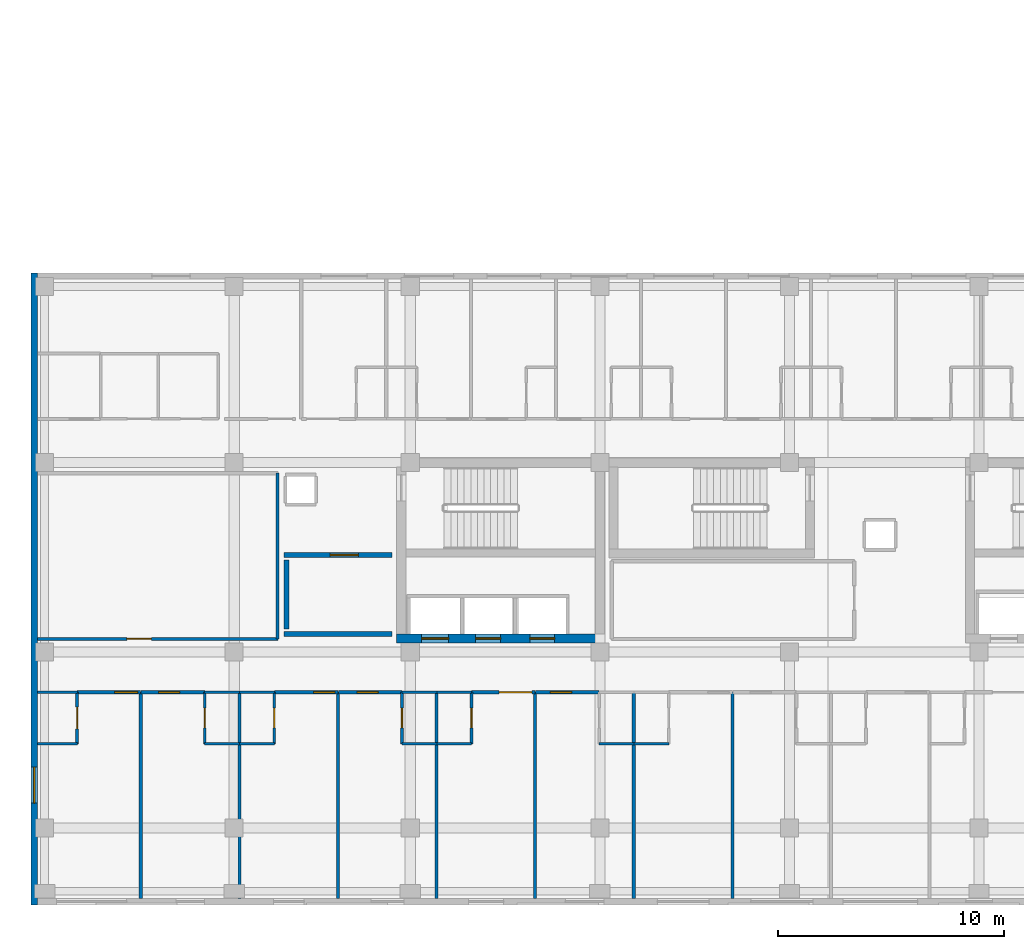
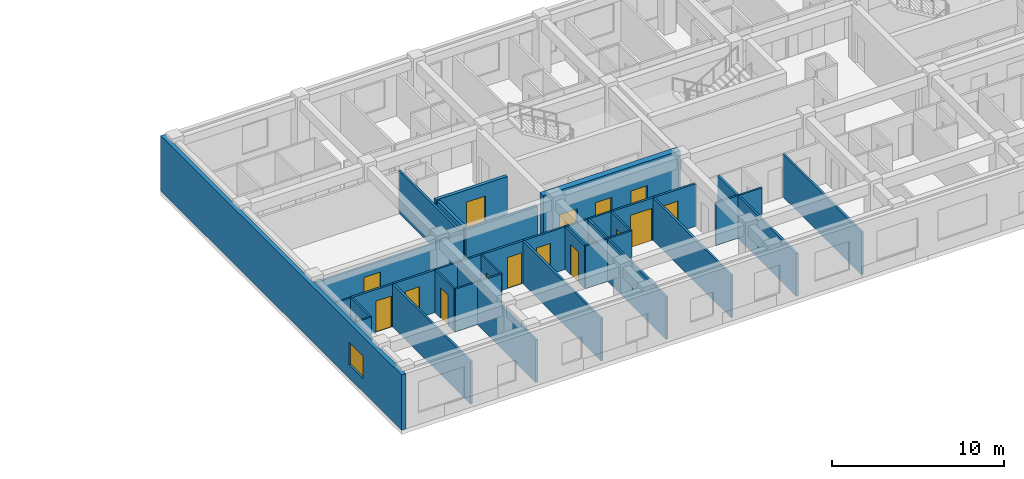
# One storey, part 95 of 127: 37 walls, 16 doors, 1 window, 17 openings.
"""IFC4 building model written with IfcOpenShell, lengths in metres."""

from ifc_helpers import new_model, si_unit, direction, frame, frame_2d, origin, place, context, subcontext, project, spatial, rectangle, extrude, material, layer, layer_set, type_object, element, fill, save


model = new_model("IFC4")

# Units and contexts
model_context = context("Model", 3, precision=1e-05, world=origin(), true_north=direction((0.0, 1.0)))
body_context = subcontext(model_context, "Body", "Model", "MODEL_VIEW")
ifc_project = project(units=[si_unit("LENGTHUNIT", "METRE"), si_unit("AREAUNIT", "SQUARE_METRE"), si_unit("VOLUMEUNIT", "CUBIC_METRE"), si_unit("PLANEANGLEUNIT", "RADIAN"), si_unit("MASSUNIT", "GRAM", prefix="KILO")], contexts=[model_context])

# Site, building, storey
site_placement = place(None, origin())
site = spatial("IfcSite", under=ifc_project, at=site_placement, CompositionType="ELEMENT")
building_placement = place(site_placement, origin())
building = spatial("IfcBuilding", under=site, at=building_placement, Name="Zayran Congress Hotel", CompositionType="ELEMENT")
storey_placement = place(building_placement, frame((0.0, 0.0, 10.800048828125)))
storey = spatial("IfcBuildingStorey", under=building, at=storey_placement, Name="L02", CompositionType="ELEMENT", Elevation=10.800048828125)

# Wall, opening, window
ifc_material_1 = material(Name="Hajar Ma'ani limestone cavity wall and concrete C32/40", Category="masonry")
ifc_layer_1 = layer(ifc_material_1, 0.280029296875)
ifc_layer_set_1 = layer_set([ifc_layer_1], Name="Hajar Ma'ani limestone cavity wall and concrete C32/40")
wall_type_1 = type_object("IfcWallType", Name="WL-EX-280", PredefinedType="SOLIDWALL", material=ifc_layer_set_1)
wall_1_placement = place(storey_placement, frame((8.5400390625, 6.0, 0.0), z_axis=(0.0, 0.0, 1.0), x_axis=(0.0, 1.0, 0.0)))
wall_1 = element("IfcWall", 1, at=wall_1_placement, inside=storey, type_object=wall_type_1, Name="EW-V5-W-L02", PredefinedType="SOLIDWALL", context=body_context, shape_type="SweptSolid", body=[
    extrude(rectangle(XDim=28.0, YDim=0.280029296875, at=frame_2d((14.0, 0.0))), origin(), (0.0, 0.0, 1.0), 3.919921875),
])
opening_1_placement = place(wall_1_placement, frame((4.5, 0.0, 0.949951171875)))
opening_1 = element("IfcOpeningElement", 2, at=opening_1_placement, cuts=wall_1, Name="Opening WN-15", PredefinedType="OPENING", context=body_context, shape_type="SweptSolid", body=[
    extrude(rectangle(XDim=1.60009765625, YDim=1.60009765625, at=frame_2d((0.800048828125, 0.800048828125))), frame((0.0, 0.14990234375, 0.0), z_axis=(0.0, -1.0, 0.0), x_axis=(1.0, 0.0, 0.0)), (0.0, 0.0, 1.0), 0.300048828125),
])
ifc_material_2 = material(Name="Anodised aluminium and low-E insulated glass", Category="aluminium")
window_type = type_object("IfcWindowType", Name="TP-WN-15", PartitioningType="SINGLE_PANEL", PredefinedType="WINDOW", material=ifc_material_2)
window_placement = place(opening_1_placement, origin())
window = element("IfcWindow", 3, at=window_placement, inside=storey, type_object=window_type, Name="WIN-V5W-L02", OverallHeight=1.60009765625, OverallWidth=1.60009765625, PartitioningType="SINGLE_PANEL", PredefinedType="WINDOW", context=body_context, shape_type="SweptSolid", body=[
    extrude(rectangle(XDim=1.60009765625, YDim=1.60009765625, at=frame_2d((0.800048828125, 0.800048828125))), frame((0.0, 0.030029296875, 0.0), z_axis=(0.0, -1.0, 0.0), x_axis=(1.0, 0.0, 0.0)), (0.0, 0.0, 1.0), 0.06005859375),
])
fill(opening_1, window)

# Wall, openings, doors
ifc_material_3 = material(Name="Concrete C40/50", Category="concrete")
ifc_layer_2 = layer(ifc_material_3, 0.39990234375)
ifc_layer_set_2 = layer_set([ifc_layer_2], Name="Concrete C40/50")
wall_type_2 = type_object("IfcWallType", Name="WL-SH-400", PredefinedType="SHEAR", material=ifc_layer_set_2)
wall_2_placement = place(storey_placement, frame((24.60009765625, 17.800048828125, 0.0), z_axis=(0.0, 0.0, 1.0), x_axis=(1.0, 0.0, 0.0)))
wall_2 = element("IfcWall", 4, at=wall_2_placement, inside=storey, type_object=wall_type_2, Name="CWALL-C-V5W-L02-S", PredefinedType="SHEAR", context=body_context, shape_type="SweptSolid", body=[
    extrude(rectangle(XDim=9.199951171875, YDim=0.39990234375, at=frame_2d((4.60009765625, 0.0))), origin(), (0.0, 0.0, 1.0), 3.919921875),
])
opening_2_placement = place(wall_2_placement, frame((1.10009765625, 0.0, 0.0)))
opening_2 = element("IfcOpeningElement", 5, at=opening_2_placement, cuts=wall_2, Name="Opening LD-FL01", PredefinedType="OPENING", context=body_context, shape_type="SweptSolid", body=[
    extrude(rectangle(XDim=1.199951171875, YDim=2.199951171875, at=frame_2d((0.60009765625, 1.10009765625))), frame((0.0, 0.2099609375, 0.0), z_axis=(0.0, -1.0, 0.0), x_axis=(1.0, 0.0, 0.0)), (0.0, 0.0, 1.0), 0.419921875),
])
opening_3_placement = place(wall_2_placement, frame((3.5, 0.0, 0.0)))
opening_3 = element("IfcOpeningElement", 6, at=opening_3_placement, cuts=wall_2, Name="Opening LD-PL01", PredefinedType="OPENING", context=body_context, shape_type="SweptSolid", body=[
    extrude(rectangle(XDim=1.10009765625, YDim=2.199951171875, at=frame_2d((0.550048828125, 1.10009765625))), frame((0.0, 0.2099609375, 0.0), z_axis=(0.0, -1.0, 0.0), x_axis=(1.0, 0.0, 0.0)), (0.0, 0.0, 1.0), 0.419921875),
])
opening_4_placement = place(wall_2_placement, frame((5.89990234375, 0.0, 0.0)))
opening_4 = element("IfcOpeningElement", 7, at=opening_4_placement, cuts=wall_2, Name="Opening LD-PL02", PredefinedType="OPENING", context=body_context, shape_type="SweptSolid", body=[
    extrude(rectangle(XDim=1.10009765625, YDim=2.199951171875, at=frame_2d((0.550048828125, 1.10009765625))), frame((0.0, 0.2099609375, 0.0), z_axis=(0.0, -1.0, 0.0), x_axis=(1.0, 0.0, 0.0)), (0.0, 0.0, 1.0), 0.419921875),
])
ifc_material_4 = material(Name="Brushed stainless steel sliding lift landing door", Category="steel")
door_type_1 = type_object("IfcDoorType", Name="TP-DR-LD-01", OperationType="DOUBLE_DOOR_SLIDING", PredefinedType="DOOR", material=ifc_material_4)
door_1_placement = place(opening_3_placement, origin())
door_1 = element("IfcDoor", 8, at=door_1_placement, inside=storey, type_object=door_type_1, Name="Lift PL-01 Sliding Landing Door L02", OperationType="DOUBLE_DOOR_SLIDING", OverallHeight=2.199951171875, OverallWidth=1.10009765625, PredefinedType="DOOR", context=body_context, shape_type="SweptSolid", body=[
    extrude(rectangle(XDim=1.10009765625, YDim=2.199951171875, at=frame_2d((0.550048828125, 1.10009765625))), frame((0.0, 0.02490234375, 0.0), z_axis=(0.0, -1.0, 0.0), x_axis=(1.0, 0.0, 0.0)), (0.0, 0.0, 1.0), 0.050048828125),
])
fill(opening_3, door_1)
door_2_placement = place(opening_4_placement, origin())
door_2 = element("IfcDoor", 9, at=door_2_placement, inside=storey, type_object=door_type_1, Name="Lift PL-02 Sliding Landing Door L02", OperationType="DOUBLE_DOOR_SLIDING", OverallHeight=2.199951171875, OverallWidth=1.10009765625, PredefinedType="DOOR", context=body_context, shape_type="SweptSolid", body=[
    extrude(rectangle(XDim=1.10009765625, YDim=2.199951171875, at=frame_2d((0.550048828125, 1.10009765625))), frame((0.0, 0.02490234375, 0.0), z_axis=(0.0, -1.0, 0.0), x_axis=(1.0, 0.0, 0.0)), (0.0, 0.0, 1.0), 0.050048828125),
])
fill(opening_4, door_2)
ifc_material_5 = material(Name="Brushed stainless steel firefighting lift landing door", Category="steel")
door_type_2 = type_object("IfcDoorType", Name="TP-DR-LD-02", OperationType="DOUBLE_DOOR_SLIDING", PredefinedType="DOOR", material=ifc_material_5)
door_3_placement = place(opening_2_placement, origin())
door_3 = element("IfcDoor", 10, at=door_3_placement, inside=storey, type_object=door_type_2, Name="Lift FL-01 Sliding Landing Door L02", OperationType="DOUBLE_DOOR_SLIDING", OverallHeight=2.199951171875, OverallWidth=1.199951171875, PredefinedType="DOOR", context=body_context, shape_type="SweptSolid", body=[
    extrude(rectangle(XDim=1.199951171875, YDim=2.199951171875, at=frame_2d((0.60009765625, 1.10009765625))), frame((0.0, 0.02490234375, 0.0), z_axis=(0.0, -1.0, 0.0), x_axis=(1.0, 0.0, 0.0)), (0.0, 0.0, 1.0), 0.050048828125),
])
fill(opening_2, door_3)

# Wall
ifc_material_6 = material(Name="Concrete C32/40 fire wall", Category="concrete")
ifc_layer_3 = layer(ifc_material_6, 0.219970703125)
ifc_layer_set_3 = layer_set([ifc_layer_3], Name="Concrete C32/40 fire wall")
wall_type_3 = type_object("IfcWallType", Name="WL-FF-220", PredefinedType="SOLIDWALL", material=ifc_layer_set_3)
wall_3_placement = place(storey_placement, frame((19.60009765625, 18.0, 0.0), z_axis=(0.0, 0.0, 1.0), x_axis=(1.0, 0.0, 0.0)))
element("IfcWall", 11, at=wall_3_placement, inside=storey, type_object=wall_type_3, Name="FFWL-C-V5W-L02-S", PredefinedType="SOLIDWALL", context=body_context, shape_type="SweptSolid", body=[
    extrude(rectangle(XDim=4.7998046875, YDim=0.219970703125, at=frame_2d((2.39990234375, 0.0))), origin(), (0.0, 0.0, 1.0), 3.070068359375),
])

# Wall, opening, door
wall_4_placement = place(storey_placement, frame((19.60009765625, 21.5, 0.0), z_axis=(0.0, 0.0, 1.0), x_axis=(1.0, 0.0, 0.0)))
wall_4 = element("IfcWall", 12, at=wall_4_placement, inside=storey, type_object=wall_type_3, Name="FFWL-C-V5W-L02-N", PredefinedType="SOLIDWALL", context=body_context, shape_type="SweptSolid", body=[
    extrude(rectangle(XDim=4.7998046875, YDim=0.219970703125, at=frame_2d((2.39990234375, 0.0))), origin(), (0.0, 0.0, 1.0), 3.070068359375),
])
opening_5_placement = place(wall_4_placement, frame((2.050048828125, 0.0, 0.0)))
opening_5 = element("IfcOpeningElement", 13, at=opening_5_placement, cuts=wall_4, Name="Opening DR-FF-60", PredefinedType="OPENING", context=body_context, shape_type="SweptSolid", body=[
    extrude(rectangle(XDim=1.25, YDim=2.199951171875, at=frame_2d((0.625, 1.10009765625))), frame((0.0, 0.119873046875, 0.0), z_axis=(0.0, -1.0, 0.0), x_axis=(1.0, 0.0, 0.0)), (0.0, 0.0, 1.0), 0.239990234375),
])
ifc_material_7 = material(Name="Painted steel smoke-seal fire door", Category="steel")
door_type_3 = type_object("IfcDoorType", Name="TP-DR-FF-60", OperationType="NOTDEFINED", PredefinedType="DOOR", material=ifc_material_7)
door_4_placement = place(opening_5_placement, origin())
door_4 = element("IfcDoor", 14, at=door_4_placement, inside=storey, type_object=door_type_3, Name="Firefighting Lift Lobby Door C-V5W L02", OperationType="SINGLE_SWING_RIGHT", OverallHeight=2.199951171875, OverallWidth=1.25, PredefinedType="DOOR", context=body_context, shape_type="SweptSolid", body=[
    extrude(rectangle(XDim=1.25, YDim=2.199951171875, at=frame_2d((0.625, 1.10009765625))), frame((0.0, 0.02490234375, 0.0), z_axis=(0.0, -1.0, 0.0), x_axis=(1.0, 0.0, 0.0)), (0.0, 0.0, 1.0), 0.050048828125),
])
fill(opening_5, door_4)

# Wall
wall_5_placement = place(storey_placement, frame((19.7099609375, 18.219970703125, 0.0), z_axis=(0.0, 0.0, 1.0), x_axis=(0.0, 1.0, 0.0)))
element("IfcWall", 15, at=wall_5_placement, inside=storey, type_object=wall_type_3, Name="FFWL-C-V5W-L02-SD", PredefinedType="SOLIDWALL", context=body_context, shape_type="SweptSolid", body=[
    extrude(rectangle(XDim=3.06005859375, YDim=0.219970703125, at=frame_2d((1.530029296875, 0.0))), origin(), (0.0, 0.0, 1.0), 3.070068359375),
])

# Wall, opening, door
ifc_material_8 = material(Name="Hospitality guestroom acoustic partition", Category="gypsum")
ifc_layer_4 = layer(ifc_material_8, 0.139892578125)
ifc_layer_set_4 = layer_set([ifc_layer_4], Name="Hospitality guestroom acoustic partition")
wall_type_4 = type_object("IfcWallType", Name="WL-PT-140", PredefinedType="PARTITIONING", material=ifc_layer_set_4)
wall_6_placement = place(storey_placement, frame((8.679931640625, 17.780029296875, 0.0), z_axis=(0.0, 0.0, 1.0), x_axis=(1.0, 0.0, 0.0)))
wall_6 = element("IfcWall", 16, at=wall_6_placement, inside=storey, type_object=wall_type_4, Name="IW-L02-0514", PredefinedType="PARTITIONING", context=body_context, shape_type="SweptSolid", body=[
    extrude(rectangle(XDim=10.650146484375, YDim=0.139892578125, at=frame_2d((5.3251953125, 0.0))), origin(), (0.0, 0.0, 1.0), 3.02001953125),
])
opening_6_placement = place(wall_6_placement, frame((3.969970703125, 0.0, 0.0)))
opening_6 = element("IfcOpeningElement", 17, at=opening_6_placement, cuts=wall_6, Name="Opening DR-MT-01", PredefinedType="OPENING", context=body_context, shape_type="SweptSolid", body=[
    extrude(rectangle(XDim=1.080078125, YDim=2.25, at=frame_2d((0.5400390625, 1.125))), frame((0.0, 0.079833984375, 0.0), z_axis=(0.0, -1.0, 0.0), x_axis=(1.0, 0.0, 0.0)), (0.0, 0.0, 1.0), 0.159912109375),
])
ifc_material_9 = material(Name="Acoustic timber seminar room door", Category="wood")
door_type_4 = type_object("IfcDoorType", Name="TP-DR-MT-01", OperationType="NOTDEFINED", PredefinedType="DOOR", material=ifc_material_9)
door_5_placement = place(opening_6_placement, origin())
door_5 = element("IfcDoor", 18, at=door_5_placement, inside=storey, type_object=door_type_4, Name="Delegate Study Salon West L02 Door", OperationType="SINGLE_SWING_LEFT", OverallHeight=2.25, OverallWidth=1.080078125, PredefinedType="DOOR", context=body_context, shape_type="SweptSolid", body=[
    extrude(rectangle(XDim=1.080078125, YDim=2.25, at=frame_2d((0.5400390625, 1.125))), frame((0.0, 0.02490234375, 0.0), z_axis=(0.0, -1.0, 0.0), x_axis=(1.0, 0.0, 0.0)), (0.0, 0.0, 1.0), 0.050048828125),
])
fill(opening_6, door_5)

wall_7_placement = place(storey_placement, frame((10.43896484375, 15.419921875, 0.0), z_axis=(0.0, 0.0, 1.0), x_axis=(1.0, 0.0, 0.0)))
wall_7 = element("IfcWall", 19, at=wall_7_placement, inside=storey, type_object=wall_type_4, Name="IW-L02-0516", PredefinedType="PARTITIONING", context=body_context, shape_type="SweptSolid", body=[
    extrude(rectangle(XDim=2.819091796875, YDim=0.139892578125, at=frame_2d((1.40966796875, 0.0))), origin(), (0.0, 0.0, 1.0), 3.02001953125),
])
opening_7_placement = place(wall_7_placement, frame((1.658935546875, 0.0, 0.0)))
opening_7 = element("IfcOpeningElement", 20, at=opening_7_placement, cuts=wall_7, Name="Opening DR-GR-02", PredefinedType="OPENING", context=body_context, shape_type="SweptSolid", body=[
    extrude(rectangle(XDim=1.02001953125, YDim=2.199951171875, at=frame_2d((0.510009765625, 1.10009765625))), frame((0.0, 0.079833984375, 0.0), z_axis=(0.0, -1.0, 0.0), x_axis=(1.0, 0.0, 0.0)), (0.0, 0.0, 1.0), 0.159912109375),
])
ifc_material_10 = material(Name="Accessible acoustic walnut veneer entry door", Category="wood")
door_type_5 = type_object("IfcDoorType", Name="TP-DR-GR-02", OperationType="NOTDEFINED", PredefinedType="DOOR", material=ifc_material_10)
door_6_placement = place(opening_7_placement, origin())
door_6 = element("IfcDoor", 21, at=door_6_placement, inside=storey, type_object=door_type_5, Name="Accessible Guest Room L02-01 Door", OperationType="SINGLE_SWING_LEFT", OverallHeight=2.199951171875, OverallWidth=1.02001953125, PredefinedType="DOOR", context=body_context, shape_type="SweptSolid", body=[
    extrude(rectangle(XDim=1.02001953125, YDim=2.199951171875, at=frame_2d((0.510009765625, 1.10009765625))), frame((0.0, 0.02490234375, 0.0), z_axis=(0.0, -1.0, 0.0), x_axis=(1.0, 0.0, 0.0)), (0.0, 0.0, 1.0), 0.050048828125),
])
fill(opening_7, door_6)

wall_8_placement = place(storey_placement, frame((13.278076171875, 15.419921875, 0.0), z_axis=(0.0, 0.0, 1.0), x_axis=(1.0, 0.0, 0.0)))
wall_8 = element("IfcWall", 22, at=wall_8_placement, inside=storey, type_object=wall_type_4, Name="IW-L02-0517", PredefinedType="PARTITIONING", context=body_context, shape_type="SweptSolid", body=[
    extrude(rectangle(XDim=2.81982421875, YDim=0.139892578125, at=frame_2d((1.409912109375, 0.0))), origin(), (0.0, 0.0, 1.0), 3.02001953125),
])
opening_8_placement = place(wall_8_placement, frame((0.76904296875, 0.0, 0.0)))
opening_8 = element("IfcOpeningElement", 23, at=opening_8_placement, cuts=wall_8, Name="Opening DR-GR-01", PredefinedType="OPENING", context=body_context, shape_type="SweptSolid", body=[
    extrude(rectangle(XDim=0.93994140625, YDim=2.199951171875, at=frame_2d((0.469970703125, 1.10009765625))), frame((0.0, 0.079833984375, 0.0), z_axis=(0.0, -1.0, 0.0), x_axis=(1.0, 0.0, 0.0)), (0.0, 0.0, 1.0), 0.159912109375),
])
ifc_material_11 = material(Name="Acoustic walnut veneer fire-rated entry door", Category="wood")
door_type_6 = type_object("IfcDoorType", Name="TP-DR-GR-01", OperationType="NOTDEFINED", PredefinedType="DOOR", material=ifc_material_11)
door_7_placement = place(opening_8_placement, origin())
door_7 = element("IfcDoor", 24, at=door_7_placement, inside=storey, type_object=door_type_6, Name="Guest Room L02-02 Door", OperationType="SINGLE_SWING_RIGHT", OverallHeight=2.199951171875, OverallWidth=0.93994140625, PredefinedType="DOOR", context=body_context, shape_type="SweptSolid", body=[
    extrude(rectangle(XDim=0.93994140625, YDim=2.199951171875, at=frame_2d((0.469970703125, 1.10009765625))), frame((0.0, 0.02490234375, 0.0), z_axis=(0.0, -1.0, 0.0), x_axis=(1.0, 0.0, 0.0)), (0.0, 0.0, 1.0), 0.050048828125),
])
fill(opening_8, door_7)

wall_9_placement = place(storey_placement, frame((19.176025390625, 15.419921875, 0.0), z_axis=(0.0, 0.0, 1.0), x_axis=(1.0, 0.0, 0.0)))
wall_9 = element("IfcWall", 25, at=wall_9_placement, inside=storey, type_object=wall_type_4, Name="IW-L02-0518", PredefinedType="PARTITIONING", context=body_context, shape_type="SweptSolid", body=[
    extrude(rectangle(XDim=2.819091796875, YDim=0.139892578125, at=frame_2d((1.40966796875, 0.0))), origin(), (0.0, 0.0, 1.0), 3.02001953125),
])
opening_9_placement = place(wall_9_placement, frame((1.739013671875, 0.0, 0.0)))
opening_9 = element("IfcOpeningElement", 26, at=opening_9_placement, cuts=wall_9, Name="Opening DR-GR-01", PredefinedType="OPENING", context=body_context, shape_type="SweptSolid", body=[
    extrude(rectangle(XDim=0.93994140625, YDim=2.199951171875, at=frame_2d((0.469970703125, 1.10009765625))), frame((0.0, 0.079833984375, 0.0), z_axis=(0.0, -1.0, 0.0), x_axis=(1.0, 0.0, 0.0)), (0.0, 0.0, 1.0), 0.159912109375),
])
door_8_placement = place(opening_9_placement, origin())
door_8 = element("IfcDoor", 27, at=door_8_placement, inside=storey, type_object=door_type_6, Name="Guest Room L02-03 Door", OperationType="SINGLE_SWING_LEFT", OverallHeight=2.199951171875, OverallWidth=0.93994140625, PredefinedType="DOOR", context=body_context, shape_type="SweptSolid", body=[
    extrude(rectangle(XDim=0.93994140625, YDim=2.199951171875, at=frame_2d((0.469970703125, 1.10009765625))), frame((0.0, 0.02490234375, 0.0), z_axis=(0.0, -1.0, 0.0), x_axis=(1.0, 0.0, 0.0)), (0.0, 0.0, 1.0), 0.050048828125),
])
fill(opening_9, door_8)

wall_10_placement = place(storey_placement, frame((22.014892578125, 15.419921875, 0.0), z_axis=(0.0, 0.0, 1.0), x_axis=(1.0, 0.0, 0.0)))
wall_10 = element("IfcWall", 28, at=wall_10_placement, inside=storey, type_object=wall_type_4, Name="IW-L02-0519", PredefinedType="PARTITIONING", context=body_context, shape_type="SweptSolid", body=[
    extrude(rectangle(XDim=2.820068359375, YDim=0.139892578125, at=frame_2d((1.41015625, 0.0))), origin(), (0.0, 0.0, 1.0), 3.02001953125),
])
opening_10_placement = place(wall_10_placement, frame((0.825927734375, 0.0, 0.0)))
opening_10 = element("IfcOpeningElement", 29, at=opening_10_placement, cuts=wall_10, Name="Opening DR-GR-01", PredefinedType="OPENING", context=body_context, shape_type="SweptSolid", body=[
    extrude(rectangle(XDim=0.93994140625, YDim=2.199951171875, at=frame_2d((0.469970703125, 1.10009765625))), frame((0.0, 0.079833984375, 0.0), z_axis=(0.0, -1.0, 0.0), x_axis=(1.0, 0.0, 0.0)), (0.0, 0.0, 1.0), 0.159912109375),
])
door_9_placement = place(opening_10_placement, origin())
door_9 = element("IfcDoor", 30, at=door_9_placement, inside=storey, type_object=door_type_6, Name="Guest Room L02-04 Door", OperationType="SINGLE_SWING_RIGHT", OverallHeight=2.199951171875, OverallWidth=0.93994140625, PredefinedType="DOOR", context=body_context, shape_type="SweptSolid", body=[
    extrude(rectangle(XDim=0.93994140625, YDim=2.199951171875, at=frame_2d((0.469970703125, 1.10009765625))), frame((0.0, 0.02490234375, 0.0), z_axis=(0.0, -1.0, 0.0), x_axis=(1.0, 0.0, 0.0)), (0.0, 0.0, 1.0), 0.050048828125),
])
fill(opening_10, door_9)

wall_11_placement = place(storey_placement, frame((27.9130859375, 15.419921875, 0.0), z_axis=(0.0, 0.0, 1.0), x_axis=(1.0, 0.0, 0.0)))
wall_11 = element("IfcWall", 31, at=wall_11_placement, inside=storey, type_object=wall_type_4, Name="IW-L02-0520", PredefinedType="PARTITIONING", context=body_context, shape_type="SweptSolid", body=[
    extrude(rectangle(XDim=2.81884765625, YDim=0.139892578125, at=frame_2d((1.409423828125, 0.0))), origin(), (0.0, 0.0, 1.0), 3.02001953125),
])
opening_11_placement = place(wall_11_placement, frame((1.22900390625, 0.0, 0.0)))
opening_11 = element("IfcOpeningElement", 32, at=opening_11_placement, cuts=wall_11, Name="Opening DR-ST-01", PredefinedType="OPENING", context=body_context, shape_type="SweptSolid", body=[
    extrude(rectangle(XDim=1.449951171875, YDim=2.300048828125, at=frame_2d((0.72509765625, 1.14990234375))), frame((0.0, 0.079833984375, 0.0), z_axis=(0.0, -1.0, 0.0), x_axis=(1.0, 0.0, 0.0)), (0.0, 0.0, 1.0), 0.159912109375),
])
ifc_material_12 = material(Name="Double walnut veneer suite entry door", Category="wood")
door_type_7 = type_object("IfcDoorType", Name="TP-DR-ST-01", OperationType="DOUBLE_DOOR_SINGLE_SWING", PredefinedType="DOOR", material=ifc_material_12)
door_10_placement = place(opening_11_placement, origin())
door_10 = element("IfcDoor", 33, at=door_10_placement, inside=storey, type_object=door_type_7, Name="Junior Suite L02-05 Door", OperationType="DOUBLE_DOOR_SINGLE_SWING", OverallHeight=2.300048828125, OverallWidth=1.449951171875, PredefinedType="DOOR", context=body_context, shape_type="SweptSolid", body=[
    extrude(rectangle(XDim=1.449951171875, YDim=2.300048828125, at=frame_2d((0.72509765625, 1.14990234375))), frame((0.0, 0.02490234375, 0.0), z_axis=(0.0, -1.0, 0.0), x_axis=(1.0, 0.0, 0.0)), (0.0, 0.0, 1.0), 0.050048828125),
])
fill(opening_11, door_10)

wall_12_placement = place(storey_placement, frame((30.751953125, 15.419921875, 0.0), z_axis=(0.0, 0.0, 1.0), x_axis=(1.0, 0.0, 0.0)))
wall_12 = element("IfcWall", 34, at=wall_12_placement, inside=storey, type_object=wall_type_4, Name="IW-L02-0521", PredefinedType="PARTITIONING", context=body_context, shape_type="SweptSolid", body=[
    extrude(rectangle(XDim=2.820068359375, YDim=0.139892578125, at=frame_2d((1.41015625, 0.0))), origin(), (0.0, 0.0, 1.0), 3.02001953125),
])
opening_12_placement = place(wall_12_placement, frame((0.654052734375, 0.0, 0.0)))
opening_12 = element("IfcOpeningElement", 35, at=opening_12_placement, cuts=wall_12, Name="Opening DR-GR-01", PredefinedType="OPENING", context=body_context, shape_type="SweptSolid", body=[
    extrude(rectangle(XDim=0.93994140625, YDim=2.199951171875, at=frame_2d((0.469970703125, 1.10009765625))), frame((0.0, 0.079833984375, 0.0), z_axis=(0.0, -1.0, 0.0), x_axis=(1.0, 0.0, 0.0)), (0.0, 0.0, 1.0), 0.159912109375),
])
door_11_placement = place(opening_12_placement, origin())
door_11 = element("IfcDoor", 36, at=door_11_placement, inside=storey, type_object=door_type_6, Name="Guest Room L02-06 Door", OperationType="SINGLE_SWING_LEFT", OverallHeight=2.199951171875, OverallWidth=0.93994140625, PredefinedType="DOOR", context=body_context, shape_type="SweptSolid", body=[
    extrude(rectangle(XDim=0.93994140625, YDim=2.199951171875, at=frame_2d((0.469970703125, 1.10009765625))), frame((0.0, 0.02490234375, 0.0), z_axis=(0.0, -1.0, 0.0), x_axis=(1.0, 0.0, 0.0)), (0.0, 0.0, 1.0), 0.050048828125),
])
fill(opening_12, door_11)

# Walls
wall_13_placement = place(storey_placement, frame((19.320068359375, 17.77001953125, 0.0), z_axis=(0.0, 0.0, 1.0), x_axis=(0.0, 1.0, 0.0)))
element("IfcWall", 37, at=wall_13_placement, inside=storey, type_object=wall_type_4, Name="IW-L02-1829", PredefinedType="PARTITIONING", context=body_context, shape_type="SweptSolid", body=[
    extrude(rectangle(XDim=7.35986328125, YDim=0.139892578125, at=frame_2d((3.679931640625, 0.0))), origin(), (0.0, 0.0, 1.0), 3.02001953125),
])
for number, where, z_axis, x_axis, name in (
    (38, (13.258056640625, 6.280029296875, 0.0), (0.0, 0.0, 1.0), (0.0, 1.0, 0.0), "IW-L02-1832"),
    (39, (17.626953125, 6.280029296875, 0.0), (0.0, 0.0, 1.0), (0.0, 1.0, 0.0), "IW-L02-1833"),
    (40, (21.9951171875, 6.280029296875, 0.0), (0.0, 0.0, 1.0), (0.0, 1.0, 0.0), "IW-L02-1834"),
    (41, (26.364013671875, 6.280029296875, 0.0), (0.0, 0.0, 1.0), (0.0, 1.0, 0.0), "IW-L02-1835"),
    (42, (30.73193359375, 6.280029296875, 0.0), (0.0, 0.0, 1.0), (0.0, 1.0, 0.0), "IW-L02-1836"),
    (43, (35.10107421875, 6.280029296875, 0.0), (0.0, 0.0, 1.0), (0.0, 1.0, 0.0), "IW-L02-1837"),
    (44, (39.468994140625, 6.280029296875, 0.0), (0.0, 0.0, 1.0), (0.0, 1.0, 0.0), "IW-L02-1838"),
):
    element("IfcWall", number, at=place(storey_placement, frame(where, z_axis=z_axis, x_axis=x_axis)), inside=storey, type_object=wall_type_4, Name=name, PredefinedType="PARTITIONING", context=body_context, shape_type="SweptSolid", body=[
        extrude(rectangle(XDim=9.14990234375, YDim=0.139892578125, at=frame_2d((4.574951171875, 0.0))), origin(), (0.0, 0.0, 1.0), 3.02001953125),
    ])

# Wall, opening, door
ifc_material_13 = material(Name="Moisture-resistant bathroom partition", Category="gypsum")
ifc_layer_5 = layer(ifc_material_13, 0.1201171875)
ifc_layer_set_5 = layer_set([ifc_layer_5], Name="Moisture-resistant bathroom partition")
wall_type_5 = type_object("IfcWallType", Name="WL-PT-120", PredefinedType="PARTITIONING", material=ifc_layer_set_5)
wall_14_placement = place(storey_placement, frame((10.43896484375, 13.1201171875, 0.0), z_axis=(0.0, 0.0, 1.0), x_axis=(0.0, 1.0, 0.0)))
wall_14 = element("IfcWall", 45, at=wall_14_placement, inside=storey, type_object=wall_type_5, Name="IW-L02-0053", PredefinedType="PARTITIONING", context=body_context, shape_type="SweptSolid", body=[
    extrude(rectangle(XDim=2.309814453125, YDim=0.1201171875, at=frame_2d((1.15478515625, 0.0))), origin(), (0.0, 0.0, 1.0), 3.02001953125),
])
opening_13_placement = place(wall_14_placement, frame((0.675048828125, 0.0, 0.0)))
opening_13 = element("IfcOpeningElement", 46, at=opening_13_placement, cuts=wall_14, Name="Opening DR-BT-02", PredefinedType="OPENING", context=body_context, shape_type="SweptSolid", body=[
    extrude(rectangle(XDim=0.9599609375, YDim=2.14990234375, at=frame_2d((0.47998046875, 1.074951171875))), frame((0.0, 0.070068359375, 0.0), z_axis=(0.0, -1.0, 0.0), x_axis=(1.0, 0.0, 0.0)), (0.0, 0.0, 1.0), 0.14013671875),
])
ifc_material_14 = material(Name="Accessible en-suite bathroom door", Category="steel")
door_type_8 = type_object("IfcDoorType", Name="TP-DR-BT-02", OperationType="NOTDEFINED", PredefinedType="DOOR", material=ifc_material_14)
door_12_placement = place(opening_13_placement, origin())
door_12 = element("IfcDoor", 47, at=door_12_placement, inside=storey, type_object=door_type_8, Name="En-Suite Bathroom L02-01 Door", OperationType="SINGLE_SWING_RIGHT", OverallHeight=2.14990234375, OverallWidth=0.9599609375, PredefinedType="DOOR", context=body_context, shape_type="SweptSolid", body=[
    extrude(rectangle(XDim=0.9599609375, YDim=2.14990234375, at=frame_2d((0.47998046875, 1.074951171875))), frame((0.0, 0.02490234375, 0.0), z_axis=(0.0, -1.0, 0.0), x_axis=(1.0, 0.0, 0.0)), (0.0, 0.0, 1.0), 0.050048828125),
])
fill(opening_13, door_12)

wall_15_placement = place(storey_placement, frame((16.097900390625, 13.1201171875, 0.0), z_axis=(0.0, 0.0, 1.0), x_axis=(0.0, 1.0, 0.0)))
wall_15 = element("IfcWall", 48, at=wall_15_placement, inside=storey, type_object=wall_type_5, Name="IW-L02-0054", PredefinedType="PARTITIONING", context=body_context, shape_type="SweptSolid", body=[
    extrude(rectangle(XDim=2.309814453125, YDim=0.1201171875, at=frame_2d((1.15478515625, 0.0))), origin(), (0.0, 0.0, 1.0), 3.02001953125),
])
opening_14_placement = place(wall_15_placement, frame((0.715087890625, 0.0, 0.0)))
opening_14 = element("IfcOpeningElement", 49, at=opening_14_placement, cuts=wall_15, Name="Opening DR-BT-01", PredefinedType="OPENING", context=body_context, shape_type="SweptSolid", body=[
    extrude(rectangle(XDim=0.8798828125, YDim=2.14990234375, at=frame_2d((0.43994140625, 1.074951171875))), frame((0.0, 0.070068359375, 0.0), z_axis=(0.0, -1.0, 0.0), x_axis=(1.0, 0.0, 0.0)), (0.0, 0.0, 1.0), 0.14013671875),
])
ifc_material_15 = material(Name="Moisture-resistant oak en-suite door", Category="wood")
door_type_9 = type_object("IfcDoorType", Name="TP-DR-BT-01", OperationType="NOTDEFINED", PredefinedType="DOOR", material=ifc_material_15)
door_13_placement = place(opening_14_placement, origin())
door_13 = element("IfcDoor", 50, at=door_13_placement, inside=storey, type_object=door_type_9, Name="En-Suite Bathroom L02-02 Door", OperationType="SINGLE_SWING_LEFT", OverallHeight=2.14990234375, OverallWidth=0.8798828125, PredefinedType="DOOR", context=body_context, shape_type="SweptSolid", body=[
    extrude(rectangle(XDim=0.8798828125, YDim=2.14990234375, at=frame_2d((0.43994140625, 1.074951171875))), frame((0.0, 0.02490234375, 0.0), z_axis=(0.0, -1.0, 0.0), x_axis=(1.0, 0.0, 0.0)), (0.0, 0.0, 1.0), 0.050048828125),
])
fill(opening_14, door_13)

wall_16_placement = place(storey_placement, frame((19.176025390625, 13.1201171875, 0.0), z_axis=(0.0, 0.0, 1.0), x_axis=(0.0, 1.0, 0.0)))
wall_16 = element("IfcWall", 51, at=wall_16_placement, inside=storey, type_object=wall_type_5, Name="IW-L02-0055", PredefinedType="PARTITIONING", context=body_context, shape_type="SweptSolid", body=[
    extrude(rectangle(XDim=2.309814453125, YDim=0.1201171875, at=frame_2d((1.15478515625, 0.0))), origin(), (0.0, 0.0, 1.0), 3.02001953125),
])
opening_15_placement = place(wall_16_placement, frame((0.715087890625, 0.0, 0.0)))
opening_15 = element("IfcOpeningElement", 52, at=opening_15_placement, cuts=wall_16, Name="Opening DR-BT-01", PredefinedType="OPENING", context=body_context, shape_type="SweptSolid", body=[
    extrude(rectangle(XDim=0.8798828125, YDim=2.14990234375, at=frame_2d((0.43994140625, 1.074951171875))), frame((0.0, 0.070068359375, 0.0), z_axis=(0.0, -1.0, 0.0), x_axis=(1.0, 0.0, 0.0)), (0.0, 0.0, 1.0), 0.14013671875),
])
door_14_placement = place(opening_15_placement, origin())
door_14 = element("IfcDoor", 53, at=door_14_placement, inside=storey, type_object=door_type_9, Name="En-Suite Bathroom L02-03 Door", OperationType="SINGLE_SWING_RIGHT", OverallHeight=2.14990234375, OverallWidth=0.8798828125, PredefinedType="DOOR", context=body_context, shape_type="SweptSolid", body=[
    extrude(rectangle(XDim=0.8798828125, YDim=2.14990234375, at=frame_2d((0.43994140625, 1.074951171875))), frame((0.0, 0.02490234375, 0.0), z_axis=(0.0, -1.0, 0.0), x_axis=(1.0, 0.0, 0.0)), (0.0, 0.0, 1.0), 0.050048828125),
])
fill(opening_15, door_14)

wall_17_placement = place(storey_placement, frame((24.8349609375, 13.1201171875, 0.0), z_axis=(0.0, 0.0, 1.0), x_axis=(0.0, 1.0, 0.0)))
wall_17 = element("IfcWall", 54, at=wall_17_placement, inside=storey, type_object=wall_type_5, Name="IW-L02-0056", PredefinedType="PARTITIONING", context=body_context, shape_type="SweptSolid", body=[
    extrude(rectangle(XDim=2.309814453125, YDim=0.1201171875, at=frame_2d((1.15478515625, 0.0))), origin(), (0.0, 0.0, 1.0), 3.02001953125),
])
opening_16_placement = place(wall_17_placement, frame((0.715087890625, 0.0, 0.0)))
opening_16 = element("IfcOpeningElement", 55, at=opening_16_placement, cuts=wall_17, Name="Opening DR-BT-01", PredefinedType="OPENING", context=body_context, shape_type="SweptSolid", body=[
    extrude(rectangle(XDim=0.8798828125, YDim=2.14990234375, at=frame_2d((0.43994140625, 1.074951171875))), frame((0.0, 0.070068359375, 0.0), z_axis=(0.0, -1.0, 0.0), x_axis=(1.0, 0.0, 0.0)), (0.0, 0.0, 1.0), 0.14013671875),
])
door_15_placement = place(opening_16_placement, origin())
door_15 = element("IfcDoor", 56, at=door_15_placement, inside=storey, type_object=door_type_9, Name="En-Suite Bathroom L02-04 Door", OperationType="SINGLE_SWING_LEFT", OverallHeight=2.14990234375, OverallWidth=0.8798828125, PredefinedType="DOOR", context=body_context, shape_type="SweptSolid", body=[
    extrude(rectangle(XDim=0.8798828125, YDim=2.14990234375, at=frame_2d((0.43994140625, 1.074951171875))), frame((0.0, 0.02490234375, 0.0), z_axis=(0.0, -1.0, 0.0), x_axis=(1.0, 0.0, 0.0)), (0.0, 0.0, 1.0), 0.050048828125),
])
fill(opening_16, door_15)

wall_18_placement = place(storey_placement, frame((27.9130859375, 13.1201171875, 0.0), z_axis=(0.0, 0.0, 1.0), x_axis=(0.0, 1.0, 0.0)))
wall_18 = element("IfcWall", 57, at=wall_18_placement, inside=storey, type_object=wall_type_5, Name="IW-L02-0057", PredefinedType="PARTITIONING", context=body_context, shape_type="SweptSolid", body=[
    extrude(rectangle(XDim=2.309814453125, YDim=0.1201171875, at=frame_2d((1.15478515625, 0.0))), origin(), (0.0, 0.0, 1.0), 3.02001953125),
])
opening_17_placement = place(wall_18_placement, frame((0.715087890625, 0.0, 0.0)))
opening_17 = element("IfcOpeningElement", 58, at=opening_17_placement, cuts=wall_18, Name="Opening DR-BT-01", PredefinedType="OPENING", context=body_context, shape_type="SweptSolid", body=[
    extrude(rectangle(XDim=0.8798828125, YDim=2.14990234375, at=frame_2d((0.43994140625, 1.074951171875))), frame((0.0, 0.070068359375, 0.0), z_axis=(0.0, -1.0, 0.0), x_axis=(1.0, 0.0, 0.0)), (0.0, 0.0, 1.0), 0.14013671875),
])
door_16_placement = place(opening_17_placement, origin())
door_16 = element("IfcDoor", 59, at=door_16_placement, inside=storey, type_object=door_type_9, Name="En-Suite Bathroom L02-05 Door", OperationType="SINGLE_SWING_RIGHT", OverallHeight=2.14990234375, OverallWidth=0.8798828125, PredefinedType="DOOR", context=body_context, shape_type="SweptSolid", body=[
    extrude(rectangle(XDim=0.8798828125, YDim=2.14990234375, at=frame_2d((0.43994140625, 1.074951171875))), frame((0.0, 0.02490234375, 0.0), z_axis=(0.0, -1.0, 0.0), x_axis=(1.0, 0.0, 0.0)), (0.0, 0.0, 1.0), 0.050048828125),
])
fill(opening_17, door_16)

# Walls
for number, where, z_axis, x_axis, name in (
    (60, (8.679931640625, 13.1298828125, 0.0), (0.0, 0.0, 1.0), (1.0, 0.0, 0.0), "IW-L02-0973"),
    (61, (8.679931640625, 15.419921875, 0.0), (0.0, 0.0, 1.0), (1.0, 0.0, 0.0), "IW-L02-0974"),
):
    element("IfcWall", number, at=place(storey_placement, frame(where, z_axis=z_axis, x_axis=x_axis)), inside=storey, type_object=wall_type_5, Name=name, PredefinedType="PARTITIONING", context=body_context, shape_type="SweptSolid", body=[
        extrude(rectangle(XDim=1.76904296875, YDim=0.1201171875, at=frame_2d((0.884521484375, 0.0))), origin(), (0.0, 0.0, 1.0), 3.02001953125),
    ])
for number, where, z_axis, x_axis, name in (
    (62, (16.087890625, 13.1298828125, 0.0), (0.0, 0.0, 1.0), (1.0, 0.0, 0.0), "IW-L02-0975"),
    (63, (16.087890625, 15.419921875, 0.0), (0.0, 0.0, 1.0), (1.0, 0.0, 0.0), "IW-L02-0976"),
    (64, (17.636962890625, 13.1298828125, 0.0), (0.0, 0.0, 1.0), (1.0, 0.0, 0.0), "IW-L02-0977"),
    (65, (17.636962890625, 15.419921875, 0.0), (0.0, 0.0, 1.0), (1.0, 0.0, 0.0), "IW-L02-0978"),
    (66, (24.824951171875, 13.1298828125, 0.0), (0.0, 0.0, 1.0), (1.0, 0.0, 0.0), "IW-L02-0979"),
    (67, (24.824951171875, 15.419921875, 0.0), (0.0, 0.0, 1.0), (1.0, 0.0, 0.0), "IW-L02-0980"),
    (68, (26.3740234375, 13.1298828125, 0.0), (0.0, 0.0, 1.0), (1.0, 0.0, 0.0), "IW-L02-0981"),
    (69, (26.3740234375, 15.419921875, 0.0), (0.0, 0.0, 1.0), (1.0, 0.0, 0.0), "IW-L02-0982"),
    (70, (33.56201171875, 13.1298828125, 0.0), (0.0, 0.0, 1.0), (1.0, 0.0, 0.0), "IW-L02-0983"),
):
    element("IfcWall", number, at=place(storey_placement, frame(where, z_axis=z_axis, x_axis=x_axis)), inside=storey, type_object=wall_type_5, Name=name, PredefinedType="PARTITIONING", context=body_context, shape_type="SweptSolid", body=[
        extrude(rectangle(XDim=1.549072265625, YDim=0.1201171875, at=frame_2d((0.7744140625, 0.0))), origin(), (0.0, 0.0, 1.0), 3.02001953125),
    ])
wall_19_placement = place(storey_placement, frame((35.111083984375, 13.1298828125, 0.0), z_axis=(0.0, 0.0, 1.0), x_axis=(1.0, 0.0, 0.0)))
element("IfcWall", 71, at=wall_19_placement, inside=storey, type_object=wall_type_5, Name="IW-L02-0985", PredefinedType="PARTITIONING", context=body_context, shape_type="SweptSolid", body=[
    extrude(rectangle(XDim=1.548828125, YDim=0.1201171875, at=frame_2d((0.7744140625, 0.0))), origin(), (0.0, 0.0, 1.0), 3.02001953125),
])

save(model, "model.ifc")
